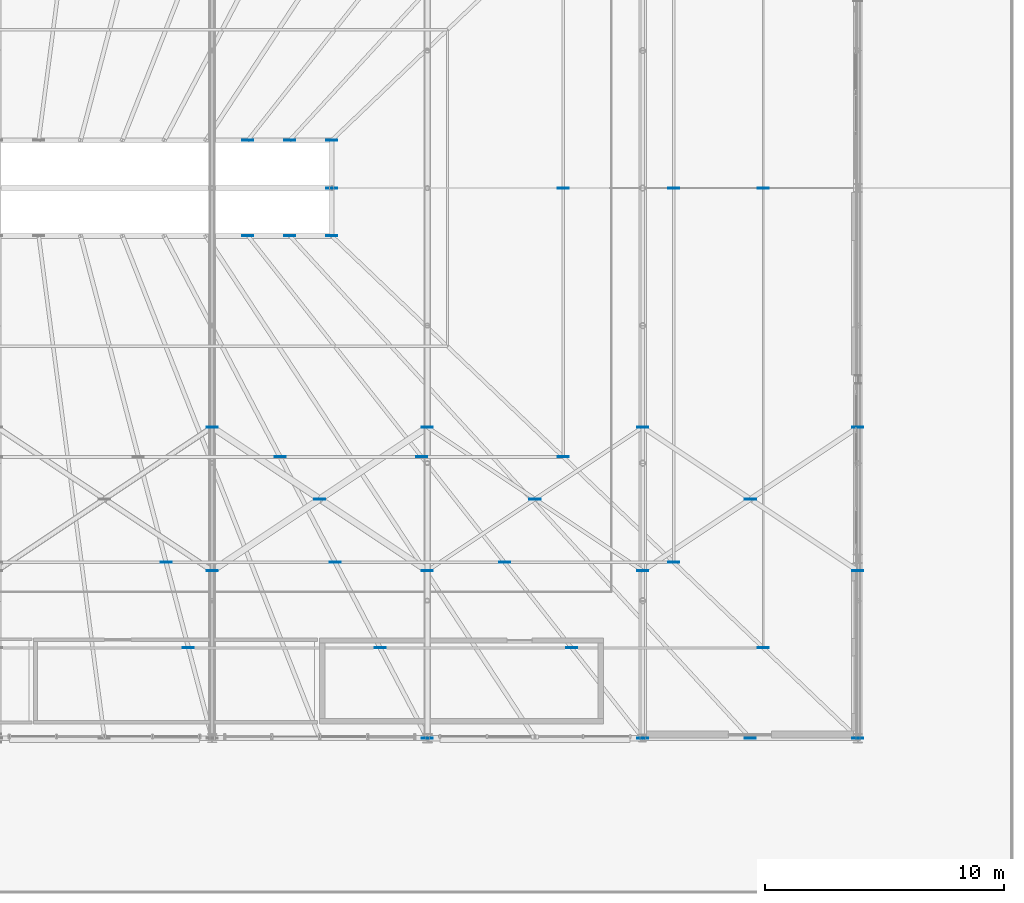
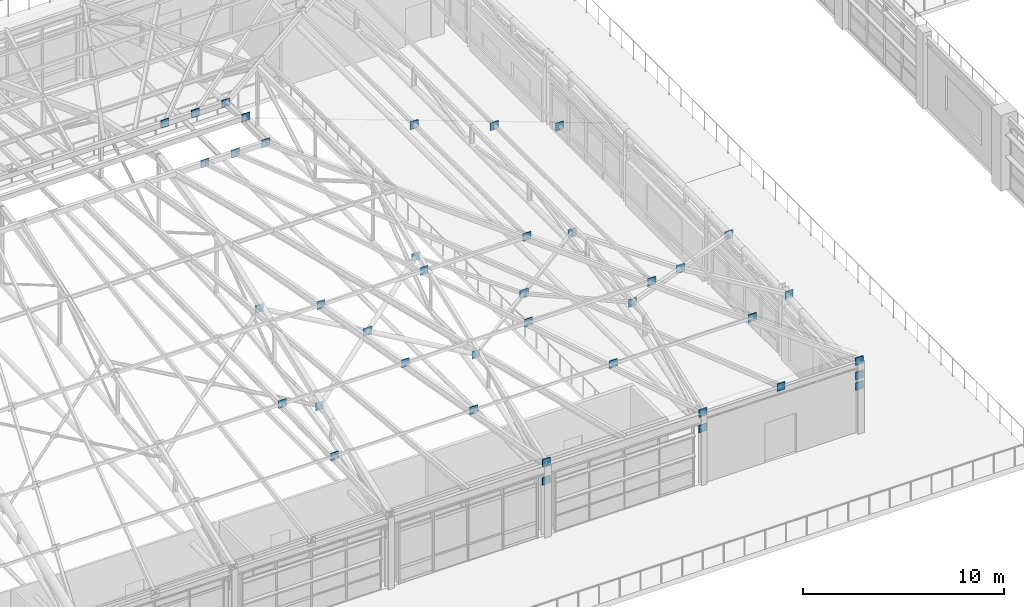
# One storey, part 145 of 168: 40 plates.
"""IFC4 building model written with IfcOpenShell, lengths in metres."""

from ifc_helpers import new_model, si_unit, direction, frame, origin, origin_2d, place, context, subcontext, project, spatial, rectangle, extrude, material, layer, layer_set, type_object, element, save


model = new_model("IFC4")

# Units and contexts
model_context = context("Model", 3, precision=1e-05, world=origin(), true_north=direction((0.0, 1.0)))
body_context = subcontext(model_context, "Body", "Model", "MODEL_VIEW")
ifc_project = project(units=[si_unit("LENGTHUNIT", "METRE"), si_unit("AREAUNIT", "SQUARE_METRE"), si_unit("VOLUMEUNIT", "CUBIC_METRE"), si_unit("PLANEANGLEUNIT", "RADIAN"), si_unit("MASSUNIT", "GRAM", prefix="KILO"), si_unit("THERMODYNAMICTEMPERATUREUNIT", "KELVIN"), si_unit("POWERUNIT", "WATT")], contexts=[model_context])

# Site, building, storey
site_placement = place(None, origin())
site = spatial("IfcSite", under=ifc_project, at=site_placement, CompositionType="ELEMENT")
building_placement = place(site_placement, origin())
building = spatial("IfcBuilding", under=site, at=building_placement, Name="Tepalcoro Natatorium and Aquatics Centre", CompositionType="ELEMENT")
storey_placement = place(building_placement, frame((0.0, 0.0, 10.199951171875)))
storey = spatial("IfcBuildingStorey", under=building, at=storey_placement, Name="L02", CompositionType="ELEMENT", Elevation=10.199951171875)

# Plates
ifc_material = material(Name="Plate Steel ASTM A572 Grade 50 (Fy 345 MPa)", Category="steel")
ifc_layer_1 = layer(ifc_material, 0.031982421875)
ifc_layer_set_1 = layer_set([ifc_layer_1], Name="Plate Steel ASTM A572 Grade 50 (Fy 345 MPa)")
plate_type_1 = type_object("IfcPlateType", Name="PL_CAP_32", PredefinedType="USERDEFINED", material=ifc_layer_set_1)
for number, where, z_axis, x_axis, name in (
    (1, (125.0, 13.0, 4.090087890625), (0.0, 0.0, 1.0), (1.0, 0.0, 0.0), "Truss Node Cap Plate HIP_SE"),
    (2, (116.0, 13.0, 4.090087890625), (0.0, 0.0, 1.0), (1.0, 0.0, 0.0), "Truss Node Cap Plate RAFS"),
    (3, (120.5, 13.0, 4.090087890625), (0.0, 0.0, 1.0), (1.0, 0.0, 0.0), "Truss Node Cap Plate RAFS"),
    (4, (107.0, 13.0, 4.219970703125), (0.0, 0.0, 1.0), (1.0, 0.0, 0.0), "Truss Node Cap Plate V1T_6"),
    (5, (107.0, 13.0, 3.1201171875), (0.0, 0.0, 1.0), (1.0, 0.0, 0.0), "Truss Node Cap Plate V1B_6"),
    (6, (116.0, 13.0, 3.14501953125), (0.0, 0.0, 1.0), (1.0, 0.0, 0.0), "Truss Node Cap Plate V1B_7"),
    (7, (125.0, 13.0, 3.219970703125), (0.0, 0.0, 1.0), (1.0, 0.0, 0.0), "Truss Node Cap Plate V1T_8"),
    (8, (125.0, 13.0, 2.570068359375), (0.0, 0.0, 1.0), (1.0, 0.0, 0.0), "Truss Node Cap Plate V1B_8"),
    (9, (98.0, 20.0, 6.538330078125), (0.0, 0.0, 1.0), (1.0, 0.0, 0.0), "Truss Node Cap Plate BR2"),
    (10, (107.0, 20.0, 6.538330078125), (0.0, 0.0, 1.0), (1.0, 0.0, 0.0), "Truss Node Cap Plate BR2"),
    (11, (116.0, 20.0, 6.538330078125), (0.0, 0.0, 1.0), (1.0, 0.0, 0.0), "Truss Node Cap Plate BR2"),
    (12, (125.0, 20.0, 3.864990234375), (0.0, 0.0, 1.0), (1.0, 0.0, 0.0), "Truss Node Cap Plate BR2"),
):
    element("IfcPlate", number, at=place(storey_placement, frame(where, z_axis=z_axis, x_axis=x_axis)), inside=storey, type_object=plate_type_1, Name=name, ObjectType="CAP PLATE", PredefinedType="USERDEFINED", context=body_context, shape_type="SweptSolid", body=[
        extrude(rectangle(XDim=0.4599609375, YDim=0.031982421875, at=origin_2d()), origin(), (0.0, 0.0, 1.0), 0.4599609375),
    ])
ifc_layer_2 = layer(ifc_material, 0.0400390625)
ifc_layer_set_2 = layer_set([ifc_layer_2], Name="Plate Steel ASTM A572 Grade 50 (Fy 345 MPa)")
plate_type_2 = type_object("IfcPlateType", Name="PL_GUSSET_40", PredefinedType="USERDEFINED", material=ifc_layer_set_2)
for number, where, z_axis, x_axis, name in (
    (13, (103.0, 34.0, 12.295166015625), (0.0, 0.0, 1.0), (1.0, 0.0, 0.0), "Truss Node Gusset Plate HIP_SE"),
    (14, (103.0, 38.0, 12.295166015625), (0.0, 0.0, 1.0), (1.0, 0.0, 0.0), "Truss Node Gusset Plate HIP_NE"),
    (15, (103.0, 36.0, 12.66015625), (0.0, 0.0, 1.0), (1.0, 0.0, 0.0), "Truss Node Gusset Plate RNG_APEX"),
    (16, (99.5, 34.0, 12.295166015625), (0.0, 0.0, 1.0), (1.0, 0.0, 0.0), "Truss Node Gusset Plate RAFS"),
    (17, (99.5, 38.0, 12.295166015625), (0.0, 0.0, 1.0), (1.0, 0.0, 0.0), "Truss Node Gusset Plate RAFN"),
    (18, (101.25, 34.0, 12.295166015625), (0.0, 0.0, 1.0), (1.0, 0.0, 0.0), "Truss Node Gusset Plate RAFS"),
    (19, (101.25, 38.0, 12.295166015625), (0.0, 0.0, 1.0), (1.0, 0.0, 0.0), "Truss Node Gusset Plate RAFN"),
    (20, (97.010009765625, 16.780029296875, 5.806640625), (0.0, 0.0, 1.0), (1.0, 0.0, 0.0), "Truss Node Gusset Plate PURS"),
    (21, (105.02001953125, 16.780029296875, 5.806640625), (0.0, 0.0, 1.0), (1.0, 0.0, 0.0), "Truss Node Gusset Plate PURS"),
    (22, (113.030029296875, 16.780029296875, 5.806640625), (0.0, 0.0, 1.0), (1.0, 0.0, 0.0), "Truss Node Gusset Plate PURS"),
    (23, (121.0400390625, 16.780029296875, 5.806640625), (0.0, 0.0, 1.0), (1.0, 0.0, 0.0), "Truss Node Gusset Plate PURS"),
    (24, (121.0400390625, 36.0, 5.78564453125), (0.0, 0.0, 1.0), (1.0, 0.0, 0.0), "Truss Node Gusset Plate PURE"),
    (25, (96.074951171875, 20.35009765625, 7.150146484375), (0.0, 0.0, 1.0), (1.0, 0.0, 0.0), "Truss Node Gusset Plate PURS"),
    (26, (103.14990234375, 20.35009765625, 7.150146484375), (0.0, 0.0, 1.0), (1.0, 0.0, 0.0), "Truss Node Gusset Plate PURS"),
    (27, (110.22509765625, 20.35009765625, 7.150146484375), (0.0, 0.0, 1.0), (1.0, 0.0, 0.0), "Truss Node Gusset Plate PURS"),
    (28, (117.300048828125, 20.35009765625, 7.150146484375), (0.0, 0.0, 1.0), (1.0, 0.0, 0.0), "Truss Node Gusset Plate PURS"),
    (29, (117.300048828125, 36.0, 7.129150390625), (0.0, 0.0, 1.0), (1.0, 0.0, 0.0), "Truss Node Gusset Plate PURE"),
    (30, (100.840087890625, 24.760009765625, 8.82421875), (0.0, 0.0, 1.0), (1.0, 0.0, 0.0), "Truss Node Gusset Plate PURS"),
    (31, (106.760009765625, 24.760009765625, 8.82421875), (0.0, 0.0, 1.0), (1.0, 0.0, 0.0), "Truss Node Gusset Plate PURS"),
    (32, (112.679931640625, 24.760009765625, 8.82421875), (0.0, 0.0, 1.0), (1.0, 0.0, 0.0), "Truss Node Gusset Plate PURS"),
    (33, (112.679931640625, 36.0, 8.80322265625), (0.0, 0.0, 1.0), (1.0, 0.0, 0.0), "Truss Node Gusset Plate PURE"),
    (34, (98.0, 26.0, 8.829833984375), (0.0, 0.0, 1.0), (1.0, 0.0, 0.0), "Truss Node Gusset Plate BR1"),
):
    element("IfcPlate", number, at=place(storey_placement, frame(where, z_axis=z_axis, x_axis=x_axis)), inside=storey, type_object=plate_type_2, Name=name, ObjectType="GUSSET PLATE", PredefinedType="USERDEFINED", context=body_context, shape_type="SweptSolid", body=[
        extrude(rectangle(XDim=0.4599609375, YDim=0.0400390625, at=origin_2d()), origin(), (0.0, 0.0, 1.0), 0.4599609375),
    ])
plate_1_placement = place(storey_placement, frame((102.5, 23.0, 7.674072265625), z_axis=(0.0, 0.0, 1.0), x_axis=(1.0, 0.0, 0.0)))
element("IfcPlate", 35, at=plate_1_placement, inside=storey, type_object=plate_type_2, Name="V1 Pyramid X-Brace Crossing Node Plate GP2", ObjectType="GUSSET PLATE", PredefinedType="USERDEFINED", context=body_context, shape_type="SweptSolid", body=[
    extrude(rectangle(XDim=0.47998046875, YDim=0.0400390625, at=origin_2d()), origin(), (0.0, 0.0, 1.0), 0.47998046875),
])
plate_2_placement = place(storey_placement, frame((107.0, 26.0, 8.829833984375), z_axis=(0.0, 0.0, 1.0), x_axis=(1.0, 0.0, 0.0)))
element("IfcPlate", 36, at=plate_2_placement, inside=storey, type_object=plate_type_2, Name="Truss Node Gusset Plate BR1", ObjectType="GUSSET PLATE", PredefinedType="USERDEFINED", context=body_context, shape_type="SweptSolid", body=[
    extrude(rectangle(XDim=0.4599609375, YDim=0.0400390625, at=origin_2d()), origin(), (0.0, 0.0, 1.0), 0.4599609375),
])
plate_3_placement = place(storey_placement, frame((111.5, 23.0, 6.832275390625), z_axis=(0.0, 0.0, 1.0), x_axis=(1.0, 0.0, 0.0)))
element("IfcPlate", 37, at=plate_3_placement, inside=storey, type_object=plate_type_2, Name="V1 Pyramid X-Brace Crossing Node Plate GP2", ObjectType="GUSSET PLATE", PredefinedType="USERDEFINED", context=body_context, shape_type="SweptSolid", body=[
    extrude(rectangle(XDim=0.47998046875, YDim=0.0400390625, at=origin_2d()), origin(), (0.0, 0.0, 1.0), 0.47998046875),
])
plate_4_placement = place(storey_placement, frame((116.0, 26.0, 7.14599609375), z_axis=(0.0, 0.0, 1.0), x_axis=(1.0, 0.0, 0.0)))
element("IfcPlate", 38, at=plate_4_placement, inside=storey, type_object=plate_type_2, Name="Truss Node Gusset Plate BR1", ObjectType="GUSSET PLATE", PredefinedType="USERDEFINED", context=body_context, shape_type="SweptSolid", body=[
    extrude(rectangle(XDim=0.4599609375, YDim=0.0400390625, at=origin_2d()), origin(), (0.0, 0.0, 1.0), 0.4599609375),
])
plate_5_placement = place(storey_placement, frame((120.5, 23.0, 5.191650390625), z_axis=(0.0, 0.0, 1.0), x_axis=(1.0, 0.0, 0.0)))
element("IfcPlate", 39, at=plate_5_placement, inside=storey, type_object=plate_type_2, Name="V1 Pyramid X-Brace Crossing Node Plate GP2", ObjectType="GUSSET PLATE", PredefinedType="USERDEFINED", context=body_context, shape_type="SweptSolid", body=[
    extrude(rectangle(XDim=0.47998046875, YDim=0.0400390625, at=origin_2d()), origin(), (0.0, 0.0, 1.0), 0.47998046875),
])
plate_6_placement = place(storey_placement, frame((125.0, 26.0, 3.864990234375), z_axis=(0.0, 0.0, 1.0), x_axis=(1.0, 0.0, 0.0)))
element("IfcPlate", 40, at=plate_6_placement, inside=storey, type_object=plate_type_2, Name="Truss Node Gusset Plate BR1", ObjectType="GUSSET PLATE", PredefinedType="USERDEFINED", context=body_context, shape_type="SweptSolid", body=[
    extrude(rectangle(XDim=0.4599609375, YDim=0.0400390625, at=origin_2d()), origin(), (0.0, 0.0, 1.0), 0.4599609375),
])

save(model, "model.ifc")
